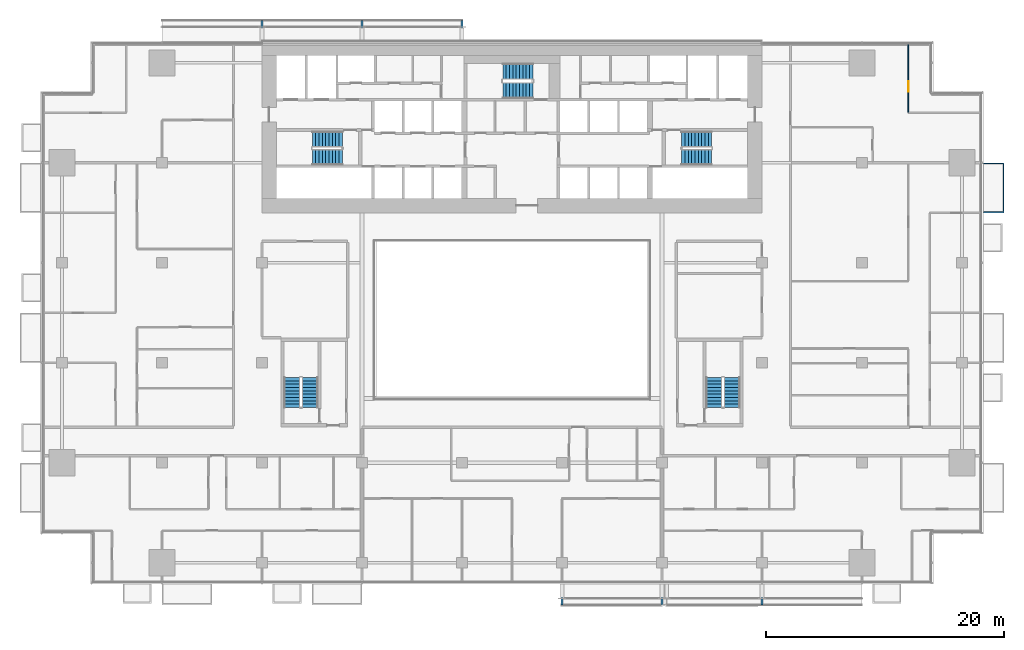
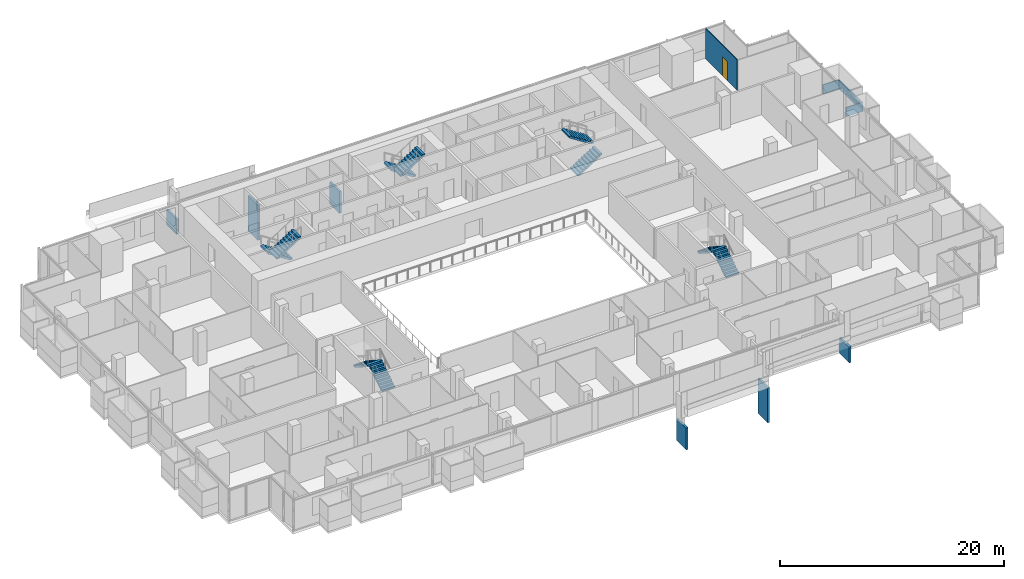
# One storey, part 24 of 27: 10 stair flights, 6 discrete accessories, 2 walls, 1 door, 1 opening, 5 elements without a shape of their own.
"""IFC4 building model written with IfcOpenShell, lengths in metres."""

from ifc_helpers import new_model, si_unit, direction, frame, frame_2d, origin, origin_2d, place, context, subcontext, project, spatial, polyline, rectangle, outline, extrude, material, layer, layer_set, type_object, element, fill, aggregate, save


model = new_model("IFC4")

# Units and contexts
model_context = context("Model", 3, precision=1e-05, world=origin(), true_north=direction((0.0, 1.0)))
body_context = subcontext(model_context, "Body", "Model", "MODEL_VIEW")
ifc_project = project(units=[si_unit("LENGTHUNIT", "METRE"), si_unit("AREAUNIT", "SQUARE_METRE"), si_unit("VOLUMEUNIT", "CUBIC_METRE"), si_unit("PLANEANGLEUNIT", "RADIAN"), si_unit("MASSUNIT", "GRAM", prefix="KILO")], contexts=[model_context])

# Site, building, storey
site_placement = place(None, origin())
site = spatial("IfcSite", under=ifc_project, at=site_placement, CompositionType="ELEMENT")
building_placement = place(site_placement, origin())
building = spatial("IfcBuilding", under=site, at=building_placement, Name="Saffron Gate Tower", CompositionType="ELEMENT")
storey_placement = place(building_placement, frame((0.0, 0.0, 44.39990234375)))
storey = spatial("IfcBuildingStorey", under=building, at=storey_placement, Name="L09", CompositionType="ELEMENT", Elevation=44.39990234375)

# Wall, opening, door
ifc_material_1 = material(Name="Plasterboard on steel studs", Category="steel")
ifc_layer_1 = layer(ifc_material_1, 0.10009765625)
ifc_layer_set_1 = layer_set([ifc_layer_1], Name="PW1 Partition 100")
wall_type_1 = type_object("IfcWallType", Name="PW1 Partition 100", PredefinedType="PARTITIONING", material=ifc_layer_set_1)
wall_1_placement = place(storey_placement, frame((120.89990234375, 75.320068359375, 0.0), z_axis=(0.0, 0.0, 1.0), x_axis=(0.0, -1.0, 0.0)))
wall_1 = element("IfcWall", 1, at=wall_1_placement, inside=storey, type_object=wall_type_1, Name="Partition A1-103", PredefinedType="PARTITIONING", context=body_context, shape_type="SweptSolid", body=[
    extrude(rectangle(XDim=5.670166015625, YDim=0.10009765625, at=frame_2d((2.8349609375, 0.0))), origin(), (0.0, 0.0, 1.0), 3.320068359375),
])
opening_placement = place(wall_1_placement, frame((3.0576171875, 0.0, 0.0)))
opening = element("IfcOpeningElement", 2, at=opening_placement, cuts=wall_1, Name="Opening A1-34", PredefinedType="OPENING", context=body_context, shape_type="SweptSolid", body=[
    extrude(rectangle(XDim=0.89990234375, YDim=2.10009765625, at=frame_2d((0.449951171875, 1.050048828125))), frame((0.0, 0.06005859375, 0.0), z_axis=(0.0, -1.0, 0.0), x_axis=(1.0, 0.0, 0.0)), (0.0, 0.0, 1.0), 0.1201171875),
])
ifc_material_2 = material(Name="Timber door set", Category="wood")
door_type = type_object("IfcDoorType", Name="RD1 Room door 900x2100", OperationType="NOTDEFINED", PredefinedType="DOOR", material=ifc_material_2)
door_placement = place(opening_placement, origin())
door = element("IfcDoor", 3, at=door_placement, inside=storey, type_object=door_type, Name="Door A1-34", OperationType="SINGLE_SWING_RIGHT", OverallHeight=2.10009765625, OverallWidth=0.89990234375, PredefinedType="DOOR", context=body_context, shape_type="SweptSolid", body=[
    extrude(rectangle(XDim=0.89990234375, YDim=2.10009765625, at=frame_2d((0.449951171875, 1.050048828125))), frame((0.0, 0.02490234375, 0.0), z_axis=(0.0, -1.0, 0.0), x_axis=(1.0, 0.0, 0.0)), (0.0, 0.0, 1.0), 0.050048828125),
])
fill(opening, door)

# Wall
ifc_material_3 = material(Name="Rendered insulated panel, white")
ifc_layer_2 = layer(ifc_material_3, 0.10009765625)
ifc_layer_set_2 = layer_set([ifc_layer_2], Name="WB3 box parapet white")
wall_type_2 = type_object("IfcWallType", Name="WB3 box parapet white", PredefinedType="SOLIDWALL", material=ifc_layer_set_2)
wall_2_placement = place(storey_placement, origin())
element("IfcWall", 4, at=wall_2_placement, inside=storey, type_object=wall_type_2, Name="WINDOW BOX parapet", PredefinedType="SOLIDWALL", context=body_context, shape_type="SweptSolid", body=[
    extrude(outline(polyline([(127.199951171875, 61.199951171875), (127.199951171875, 61.300048828125), (128.8330078125, 61.300048828125), (128.8330078125, 65.300048828125), (127.199951171875, 65.300048828125), (127.199951171875, 65.39990234375), (128.93310546875, 65.39990234375), (128.93310546875, 61.199951171875), (127.199951171875, 61.199951171875)])), origin(), (0.0, 0.0, 1.0), 1.0),
])

# Stair, stair flights
ifc_material_4 = material(Name="Concrete C40", Category="concrete")
stair_type = type_object("IfcStairType", Name="ST7 Stair 1350 wide, 20 risers of 180", PredefinedType="HALF_TURN_STAIR", material=ifc_material_4)
stair_1_placement = place(storey_placement, origin())
stair_1 = element("IfcStair", 5, at=stair_1_placement, inside=storey, type_object=stair_type, Name="L09 Exit stair A", PredefinedType="HALF_TURN_STAIR")
stair_flight_type = type_object("IfcStairFlightType", Name="SF3 Stair flight 1350 wide, riser 180 going 280", PredefinedType="STRAIGHT", material=ifc_material_4)
stair_flight_1_placement = place(storey_placement, frame((73.35009765625, 67.375, 0.0), z_axis=(0.0, 0.0, 1.0), x_axis=(-1.0, 0.0, 0.0)))
stair_flight_1 = element("IfcStairFlight", 6, at=stair_flight_1_placement, type_object=stair_flight_type, Name="ST-A flight 1", NumberOfRisers=10, NumberOfTreads=9, PredefinedType="STRAIGHT", RiserHeight=0.18, TreadLength=0.28, context=body_context, shape_type="SweptSolid", body=[
    extrude(outline(polyline([(0.0, 0.0), (0.0, 0.179931640625), (0.280029296875, 0.179931640625), (0.280029296875, 0.360107421875), (0.56005859375, 0.360107421875), (0.56005859375, 0.5400390625), (0.840087890625, 0.5400390625), (0.840087890625, 0.719970703125), (1.1201171875, 0.719970703125), (1.1201171875, 0.89990234375), (1.39990234375, 0.89990234375), (1.39990234375, 1.080078125), (1.679931640625, 1.080078125), (1.679931640625, 1.260009765625), (1.9599609375, 1.260009765625), (1.9599609375, 1.43994140625), (2.239990234375, 1.43994140625), (2.239990234375, 1.6201171875), (2.52001953125, 1.6201171875), (2.52001953125, 1.800048828125), (2.52001953125, 1.44189453125), (0.277099609375, 0.0), (0.0, 0.0)])), frame((0.0, 0.675048828125, 0.0), z_axis=(0.0, -1.0, 0.0), x_axis=(1.0, 0.0, 0.0)), (0.0, 0.0, 1.0), 1.35009765625),
])
stair_flight_2_placement = place(storey_placement, frame((70.830078125, 65.875, 1.800048828125), z_axis=(0.0, 0.0, 1.0), x_axis=(1.0, 0.0, 0.0)))
stair_flight_2 = element("IfcStairFlight", 7, at=stair_flight_2_placement, type_object=stair_flight_type, Name="ST-A flight 2", NumberOfRisers=10, NumberOfTreads=9, PredefinedType="STRAIGHT", RiserHeight=0.18, TreadLength=0.28, context=body_context, shape_type="SweptSolid", body=[
    extrude(outline(polyline([(0.0, 0.0), (0.0, 0.179931640625), (0.280029296875, 0.179931640625), (0.280029296875, 0.360107421875), (0.56005859375, 0.360107421875), (0.56005859375, 0.5400390625), (0.840087890625, 0.5400390625), (0.840087890625, 0.719970703125), (1.1201171875, 0.719970703125), (1.1201171875, 0.89990234375), (1.39990234375, 0.89990234375), (1.39990234375, 1.080078125), (1.679931640625, 1.080078125), (1.679931640625, 1.260009765625), (1.9599609375, 1.260009765625), (1.9599609375, 1.43994140625), (2.239990234375, 1.43994140625), (2.239990234375, 1.6201171875), (2.52001953125, 1.6201171875), (2.52001953125, 1.800048828125), (2.52001953125, 1.44189453125), (0.277099609375, 0.0), (0.0, 0.0)])), frame((0.0, 0.675048828125, 0.0), z_axis=(0.0, -1.0, 0.0), x_axis=(1.0, 0.0, 0.0)), (0.0, 0.0, 1.0), 1.35009765625),
])
aggregate(stair_1, [stair_flight_1, stair_flight_2])

stair_2_placement = place(storey_placement, origin())
stair_2 = element("IfcStair", 8, at=stair_2_placement, inside=storey, type_object=stair_type, Name="L09 Exit stair B", PredefinedType="HALF_TURN_STAIR")
stair_flight_3_placement = place(storey_placement, frame((101.85009765625, 65.875, 0.0), z_axis=(0.0, 0.0, 1.0), x_axis=(1.0, 0.0, 0.0)))
stair_flight_3 = element("IfcStairFlight", 9, at=stair_flight_3_placement, type_object=stair_flight_type, Name="ST-B flight 1", NumberOfRisers=10, NumberOfTreads=9, PredefinedType="STRAIGHT", RiserHeight=0.18, TreadLength=0.28, context=body_context, shape_type="SweptSolid", body=[
    extrude(outline(polyline([(0.0, 0.0), (0.0, 0.179931640625), (0.280029296875, 0.179931640625), (0.280029296875, 0.360107421875), (0.56005859375, 0.360107421875), (0.56005859375, 0.5400390625), (0.840087890625, 0.5400390625), (0.840087890625, 0.719970703125), (1.1201171875, 0.719970703125), (1.1201171875, 0.89990234375), (1.39990234375, 0.89990234375), (1.39990234375, 1.080078125), (1.679931640625, 1.080078125), (1.679931640625, 1.260009765625), (1.9599609375, 1.260009765625), (1.9599609375, 1.43994140625), (2.239990234375, 1.43994140625), (2.239990234375, 1.6201171875), (2.52001953125, 1.6201171875), (2.52001953125, 1.800048828125), (2.52001953125, 1.44189453125), (0.277099609375, 0.0), (0.0, 0.0)])), frame((0.0, 0.675048828125, 0.0), z_axis=(0.0, -1.0, 0.0), x_axis=(1.0, 0.0, 0.0)), (0.0, 0.0, 1.0), 1.35009765625),
])
stair_flight_4_placement = place(storey_placement, frame((104.3701171875, 67.375, 1.800048828125), z_axis=(0.0, 0.0, 1.0), x_axis=(-1.0, 0.0, 0.0)))
stair_flight_4 = element("IfcStairFlight", 10, at=stair_flight_4_placement, type_object=stair_flight_type, Name="ST-B flight 2", NumberOfRisers=10, NumberOfTreads=9, PredefinedType="STRAIGHT", RiserHeight=0.18, TreadLength=0.28, context=body_context, shape_type="SweptSolid", body=[
    extrude(outline(polyline([(0.0, 0.0), (0.0, 0.179931640625), (0.280029296875, 0.179931640625), (0.280029296875, 0.360107421875), (0.56005859375, 0.360107421875), (0.56005859375, 0.5400390625), (0.840087890625, 0.5400390625), (0.840087890625, 0.719970703125), (1.1201171875, 0.719970703125), (1.1201171875, 0.89990234375), (1.39990234375, 0.89990234375), (1.39990234375, 1.080078125), (1.679931640625, 1.080078125), (1.679931640625, 1.260009765625), (1.9599609375, 1.260009765625), (1.9599609375, 1.43994140625), (2.239990234375, 1.43994140625), (2.239990234375, 1.6201171875), (2.52001953125, 1.6201171875), (2.52001953125, 1.800048828125), (2.52001953125, 1.44189453125), (0.277099609375, 0.0), (0.0, 0.0)])), frame((0.0, 0.675048828125, 0.0), z_axis=(0.0, -1.0, 0.0), x_axis=(1.0, 0.0, 0.0)), (0.0, 0.0, 1.0), 1.35009765625),
])
aggregate(stair_2, [stair_flight_3, stair_flight_4])

stair_3_placement = place(storey_placement, origin())
stair_3 = element("IfcStair", 11, at=stair_3_placement, inside=storey, type_object=stair_type, Name="L09 Exit stair C", PredefinedType="HALF_TURN_STAIR")
stair_flight_5_placement = place(storey_placement, frame((89.35009765625, 73.074951171875, 0.0), z_axis=(0.0, 0.0, 1.0), x_axis=(-1.0, 0.0, 0.0)))
stair_flight_5 = element("IfcStairFlight", 12, at=stair_flight_5_placement, type_object=stair_flight_type, Name="ST-C flight 1", NumberOfRisers=10, NumberOfTreads=9, PredefinedType="STRAIGHT", RiserHeight=0.18, TreadLength=0.28, context=body_context, shape_type="SweptSolid", body=[
    extrude(outline(polyline([(0.0, 0.0), (0.0, 0.179931640625), (0.280029296875, 0.179931640625), (0.280029296875, 0.360107421875), (0.56005859375, 0.360107421875), (0.56005859375, 0.5400390625), (0.840087890625, 0.5400390625), (0.840087890625, 0.719970703125), (1.1201171875, 0.719970703125), (1.1201171875, 0.89990234375), (1.39990234375, 0.89990234375), (1.39990234375, 1.080078125), (1.679931640625, 1.080078125), (1.679931640625, 1.260009765625), (1.9599609375, 1.260009765625), (1.9599609375, 1.43994140625), (2.239990234375, 1.43994140625), (2.239990234375, 1.6201171875), (2.52001953125, 1.6201171875), (2.52001953125, 1.800048828125), (2.52001953125, 1.44189453125), (0.277099609375, 0.0), (0.0, 0.0)])), frame((0.0, 0.675048828125, 0.0), z_axis=(0.0, -1.0, 0.0), x_axis=(1.0, 0.0, 0.0)), (0.0, 0.0, 1.0), 1.35009765625),
])
stair_flight_6_placement = place(storey_placement, frame((86.830078125, 71.47509765625, 1.800048828125), z_axis=(0.0, 0.0, 1.0), x_axis=(1.0, 0.0, 0.0)))
stair_flight_6 = element("IfcStairFlight", 13, at=stair_flight_6_placement, type_object=stair_flight_type, Name="ST-C flight 2", NumberOfRisers=10, NumberOfTreads=9, PredefinedType="STRAIGHT", RiserHeight=0.18, TreadLength=0.28, context=body_context, shape_type="SweptSolid", body=[
    extrude(outline(polyline([(0.0, 0.0), (0.0, 0.179931640625), (0.280029296875, 0.179931640625), (0.280029296875, 0.360107421875), (0.56005859375, 0.360107421875), (0.56005859375, 0.5400390625), (0.840087890625, 0.5400390625), (0.840087890625, 0.719970703125), (1.1201171875, 0.719970703125), (1.1201171875, 0.89990234375), (1.39990234375, 0.89990234375), (1.39990234375, 1.080078125), (1.679931640625, 1.080078125), (1.679931640625, 1.260009765625), (1.9599609375, 1.260009765625), (1.9599609375, 1.43994140625), (2.239990234375, 1.43994140625), (2.239990234375, 1.6201171875), (2.52001953125, 1.6201171875), (2.52001953125, 1.800048828125), (2.52001953125, 1.44189453125), (0.277099609375, 0.0), (0.0, 0.0)])), frame((0.0, 0.675048828125, 0.0), z_axis=(0.0, -1.0, 0.0), x_axis=(1.0, 0.0, 0.0)), (0.0, 0.0, 1.0), 1.35009765625),
])
aggregate(stair_3, [stair_flight_5, stair_flight_6])

stair_4_placement = place(storey_placement, origin())
stair_4 = element("IfcStair", 14, at=stair_4_placement, inside=storey, type_object=stair_type, Name="L09 Exit stair D", PredefinedType="HALF_TURN_STAIR")
stair_flight_7_placement = place(storey_placement, frame((70.625, 44.85009765625, 0.0), z_axis=(0.0, 0.0, 1.0), x_axis=(0.0, 1.0, 0.0)))
stair_flight_7 = element("IfcStairFlight", 15, at=stair_flight_7_placement, type_object=stair_flight_type, Name="ST-D flight 1", NumberOfRisers=10, NumberOfTreads=9, PredefinedType="STRAIGHT", RiserHeight=0.18, TreadLength=0.28, context=body_context, shape_type="SweptSolid", body=[
    extrude(outline(polyline([(0.0, 0.0), (0.0, 0.179931640625), (0.280029296875, 0.179931640625), (0.280029296875, 0.360107421875), (0.56005859375, 0.360107421875), (0.56005859375, 0.5400390625), (0.840087890625, 0.5400390625), (0.840087890625, 0.719970703125), (1.1201171875, 0.719970703125), (1.1201171875, 0.89990234375), (1.39990234375, 0.89990234375), (1.39990234375, 1.080078125), (1.679931640625, 1.080078125), (1.679931640625, 1.260009765625), (1.9599609375, 1.260009765625), (1.9599609375, 1.43994140625), (2.239990234375, 1.43994140625), (2.239990234375, 1.6201171875), (2.52001953125, 1.6201171875), (2.52001953125, 1.800048828125), (2.52001953125, 1.44189453125), (0.277099609375, 0.0), (0.0, 0.0)])), frame((0.0, 0.675048828125, 0.0), z_axis=(0.0, -1.0, 0.0), x_axis=(1.0, 0.0, 0.0)), (0.0, 0.0, 1.0), 1.35009765625),
])
stair_flight_8_placement = place(storey_placement, frame((69.125, 47.3701171875, 1.800048828125), z_axis=(0.0, 0.0, 1.0), x_axis=(0.0, -1.0, 0.0)))
stair_flight_8 = element("IfcStairFlight", 16, at=stair_flight_8_placement, type_object=stair_flight_type, Name="ST-D flight 2", NumberOfRisers=10, NumberOfTreads=9, PredefinedType="STRAIGHT", RiserHeight=0.18, TreadLength=0.28, context=body_context, shape_type="SweptSolid", body=[
    extrude(outline(polyline([(0.0, 0.0), (0.0, 0.179931640625), (0.280029296875, 0.179931640625), (0.280029296875, 0.360107421875), (0.56005859375, 0.360107421875), (0.56005859375, 0.5400390625), (0.840087890625, 0.5400390625), (0.840087890625, 0.719970703125), (1.1201171875, 0.719970703125), (1.1201171875, 0.89990234375), (1.39990234375, 0.89990234375), (1.39990234375, 1.080078125), (1.679931640625, 1.080078125), (1.679931640625, 1.260009765625), (1.9599609375, 1.260009765625), (1.9599609375, 1.43994140625), (2.239990234375, 1.43994140625), (2.239990234375, 1.6201171875), (2.52001953125, 1.6201171875), (2.52001953125, 1.800048828125), (2.52001953125, 1.44189453125), (0.277099609375, 0.0), (0.0, 0.0)])), frame((0.0, 0.675048828125, 0.0), z_axis=(0.0, -1.0, 0.0), x_axis=(1.0, 0.0, 0.0)), (0.0, 0.0, 1.0), 1.35009765625),
])
aggregate(stair_4, [stair_flight_7, stair_flight_8])

stair_5_placement = place(storey_placement, origin())
stair_5 = element("IfcStair", 17, at=stair_5_placement, inside=storey, type_object=stair_type, Name="L09 Exit stair E", PredefinedType="HALF_TURN_STAIR")
stair_flight_9_placement = place(storey_placement, frame((106.074951171875, 44.85009765625, 0.0), z_axis=(0.0, 0.0, 1.0), x_axis=(0.0, 1.0, 0.0)))
stair_flight_9 = element("IfcStairFlight", 18, at=stair_flight_9_placement, type_object=stair_flight_type, Name="ST-E flight 1", NumberOfRisers=10, NumberOfTreads=9, PredefinedType="STRAIGHT", RiserHeight=0.18, TreadLength=0.28, context=body_context, shape_type="SweptSolid", body=[
    extrude(outline(polyline([(0.0, 0.0), (0.0, 0.179931640625), (0.280029296875, 0.179931640625), (0.280029296875, 0.360107421875), (0.56005859375, 0.360107421875), (0.56005859375, 0.5400390625), (0.840087890625, 0.5400390625), (0.840087890625, 0.719970703125), (1.1201171875, 0.719970703125), (1.1201171875, 0.89990234375), (1.39990234375, 0.89990234375), (1.39990234375, 1.080078125), (1.679931640625, 1.080078125), (1.679931640625, 1.260009765625), (1.9599609375, 1.260009765625), (1.9599609375, 1.43994140625), (2.239990234375, 1.43994140625), (2.239990234375, 1.6201171875), (2.52001953125, 1.6201171875), (2.52001953125, 1.800048828125), (2.52001953125, 1.44189453125), (0.277099609375, 0.0), (0.0, 0.0)])), frame((0.0, 0.675048828125, 0.0), z_axis=(0.0, -1.0, 0.0), x_axis=(1.0, 0.0, 0.0)), (0.0, 0.0, 1.0), 1.35009765625),
])
stair_flight_10_placement = place(storey_placement, frame((104.574951171875, 47.3701171875, 1.800048828125), z_axis=(0.0, 0.0, 1.0), x_axis=(0.0, -1.0, 0.0)))
stair_flight_10 = element("IfcStairFlight", 19, at=stair_flight_10_placement, type_object=stair_flight_type, Name="ST-E flight 2", NumberOfRisers=10, NumberOfTreads=9, PredefinedType="STRAIGHT", RiserHeight=0.18, TreadLength=0.28, context=body_context, shape_type="SweptSolid", body=[
    extrude(outline(polyline([(0.0, 0.0), (0.0, 0.179931640625), (0.280029296875, 0.179931640625), (0.280029296875, 0.360107421875), (0.56005859375, 0.360107421875), (0.56005859375, 0.5400390625), (0.840087890625, 0.5400390625), (0.840087890625, 0.719970703125), (1.1201171875, 0.719970703125), (1.1201171875, 0.89990234375), (1.39990234375, 0.89990234375), (1.39990234375, 1.080078125), (1.679931640625, 1.080078125), (1.679931640625, 1.260009765625), (1.9599609375, 1.260009765625), (1.9599609375, 1.43994140625), (2.239990234375, 1.43994140625), (2.239990234375, 1.6201171875), (2.52001953125, 1.6201171875), (2.52001953125, 1.800048828125), (2.52001953125, 1.44189453125), (0.277099609375, 0.0), (0.0, 0.0)])), frame((0.0, 0.675048828125, 0.0), z_axis=(0.0, -1.0, 0.0), x_axis=(1.0, 0.0, 0.0)), (0.0, 0.0, 1.0), 1.35009765625),
])
aggregate(stair_5, [stair_flight_9, stair_flight_10])

# Discrete accessories
discrete_accessory_1_placement = place(storey_placement, frame((91.800048828125, 29.125, -3.8798828125), z_axis=(0.0, 0.0, 1.0), x_axis=(1.0, 0.0, 0.0)))
element("IfcDiscreteAccessory", 20, at=discrete_accessory_1_placement, inside=storey, Name="LEDGE rib", PredefinedType="BRACKET", context=body_context, shape_type="SweptSolid", body=[
    extrude(rectangle(XDim=0.199951171875, YDim=1.75, at=origin_2d()), origin(), (0.0, 0.0, 1.0), 2.379150390625),
])
discrete_accessory_2_placement = place(storey_placement, frame((100.199951171875, 29.125, -3.8798828125), z_axis=(0.0, 0.0, 1.0), x_axis=(1.0, 0.0, 0.0)))
element("IfcDiscreteAccessory", 21, at=discrete_accessory_2_placement, inside=storey, Name="LEDGE rib", PredefinedType="BRACKET", context=body_context, shape_type="SweptSolid", body=[
    extrude(rectangle(XDim=0.199951171875, YDim=1.75, at=origin_2d()), origin(), (0.0, 0.0, 1.0), 3.821533203125),
])
discrete_accessory_3_placement = place(storey_placement, frame((108.60009765625, 29.125, -0.27978515625), z_axis=(0.0, 0.0, 1.0), x_axis=(1.0, 0.0, 0.0)))
element("IfcDiscreteAccessory", 22, at=discrete_accessory_3_placement, inside=storey, Name="LEDGE rib", PredefinedType="BRACKET", context=body_context, shape_type="SweptSolid", body=[
    extrude(rectangle(XDim=0.199951171875, YDim=1.75, at=origin_2d()), origin(), (0.0, 0.0, 1.0), 1.720947265625),
])
discrete_accessory_4_placement = place(storey_placement, frame((83.39990234375, 76.47509765625, -3.8798828125), z_axis=(0.0, 0.0, 1.0), x_axis=(-1.0, 0.0, 0.0)))
element("IfcDiscreteAccessory", 23, at=discrete_accessory_4_placement, inside=storey, Name="LEDGE rib", PredefinedType="BRACKET", context=body_context, shape_type="SweptSolid", body=[
    extrude(rectangle(XDim=0.199951171875, YDim=1.75, at=origin_2d()), origin(), (0.0, 0.0, 1.0), 2.379150390625),
])
discrete_accessory_5_placement = place(storey_placement, frame((75.0, 76.47509765625, -3.8798828125), z_axis=(0.0, 0.0, 1.0), x_axis=(-1.0, 0.0, 0.0)))
element("IfcDiscreteAccessory", 24, at=discrete_accessory_5_placement, inside=storey, Name="LEDGE rib", PredefinedType="BRACKET", context=body_context, shape_type="SweptSolid", body=[
    extrude(rectangle(XDim=0.199951171875, YDim=1.75, at=origin_2d()), origin(), (0.0, 0.0, 1.0), 3.821533203125),
])
discrete_accessory_6_placement = place(storey_placement, frame((66.60009765625, 76.47509765625, -0.27978515625), z_axis=(0.0, 0.0, 1.0), x_axis=(-1.0, 0.0, 0.0)))
element("IfcDiscreteAccessory", 25, at=discrete_accessory_6_placement, inside=storey, Name="LEDGE rib", PredefinedType="BRACKET", context=body_context, shape_type="SweptSolid", body=[
    extrude(rectangle(XDim=0.199951171875, YDim=1.75, at=origin_2d()), origin(), (0.0, 0.0, 1.0), 1.663818359375),
])

save(model, "model.ifc")
